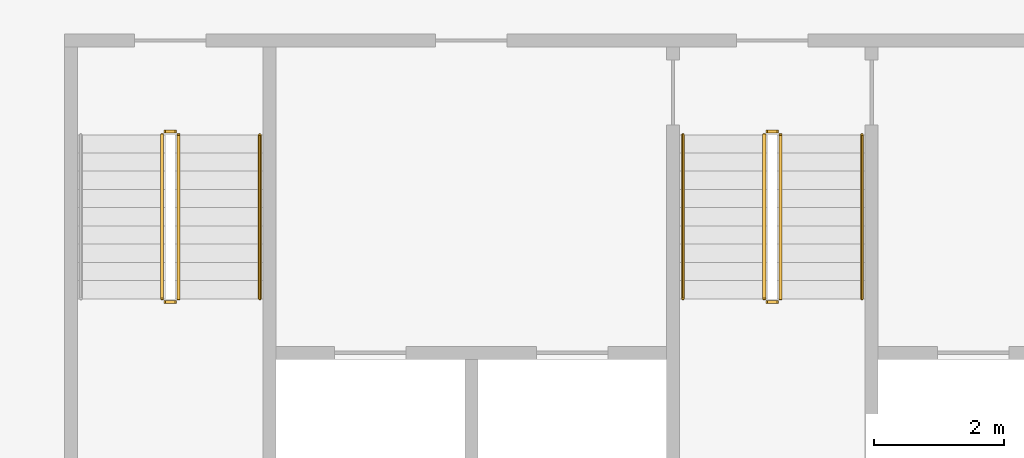
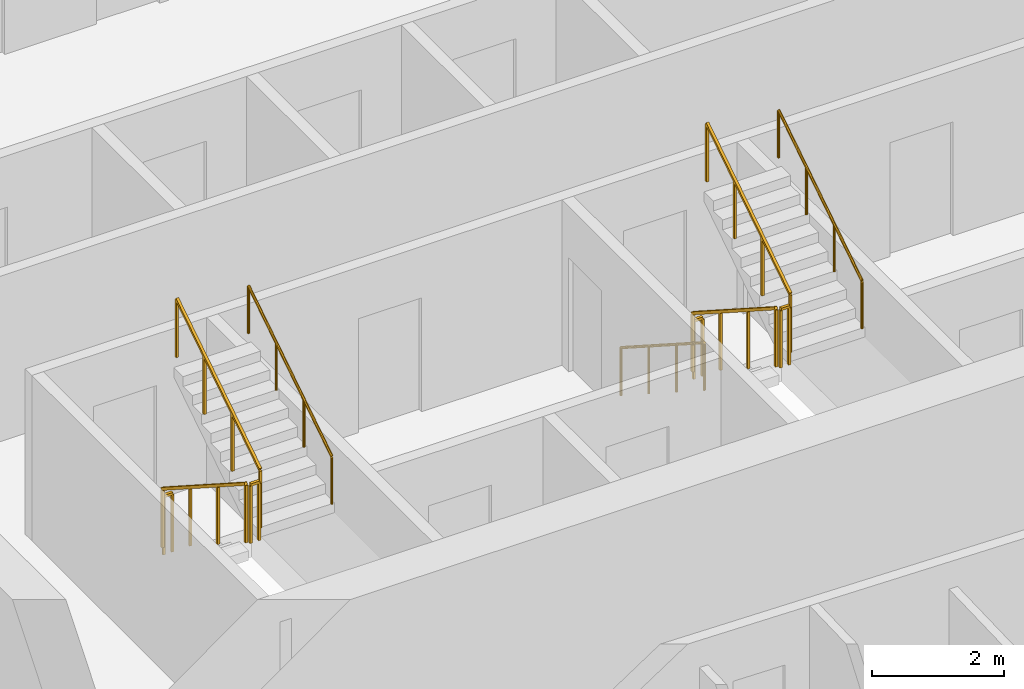
# One storey, part 15 of 17: 11 railings.
"""IFC4 building model written with IfcOpenShell, lengths in metres."""

from ifc_helpers import new_model, si_unit, direction, frame, origin, origin_2d, place, context, subcontext, project, spatial, rectangle, circle, extrude, material, type_object, element, save


model = new_model("IFC4")

# Units and contexts
model_context = context("Model", 3, precision=1e-05, world=origin(), true_north=direction((0.0, 1.0)))
body_context = subcontext(model_context, "Body", "Model", "MODEL_VIEW")
ifc_project = project(units=[si_unit("LENGTHUNIT", "METRE"), si_unit("AREAUNIT", "SQUARE_METRE"), si_unit("VOLUMEUNIT", "CUBIC_METRE"), si_unit("PLANEANGLEUNIT", "RADIAN"), si_unit("MASSUNIT", "GRAM", prefix="KILO")], contexts=[model_context])

# Site, building, storey
site_placement = place(None, origin())
site = spatial("IfcSite", under=ifc_project, at=site_placement, CompositionType="ELEMENT")
building_placement = place(site_placement, origin())
building = spatial("IfcBuilding", under=site, at=building_placement, Name="Mangrove Gate Tower", CompositionType="ELEMENT")
storey_placement = place(building_placement, frame((0.0, 0.0, 260.89990234375)))
storey = spatial("IfcBuildingStorey", under=building, at=storey_placement, Name="L66", CompositionType="ELEMENT", Elevation=260.89990234375)

# Railings
ifc_material_1 = material(Name="Stainless steel 316", Category="steel")
railing_type_1 = type_object("IfcRailingType", Name="Core stair guard 1100", PredefinedType="GUARDRAIL", material=ifc_material_1)
railing_1_placement = place(storey_placement, frame((-9.39990234375, -4.64990234375, 0.18017578125)))
element("IfcRailing", 1, at=railing_1_placement, inside=storey, type_object=railing_type_1, Name="L66 ST1 stair guard 1", PredefinedType="GUARDRAIL", context=body_context, shape_type="SweptSolid", body=[
    extrude(rectangle(XDim=0.048095703125, YDim=0.048095703125, at=origin_2d()), frame((0.0, 0.0, 1.076171875), z_axis=(0.0, -0.841199657755, 0.540724639528), x_axis=(1.0, 0.0, 0.0)), (0.0, 0.0, 1.0), 2.995849609375),
    extrude(rectangle(XDim=0.0419921875, YDim=0.0419921875, at=origin_2d()), origin(), (0.0, 0.0, 1.0), 1.052001953125),
    extrude(rectangle(XDim=0.0419921875, YDim=0.0419921875, at=origin_2d()), frame((0.0, -0.840087890625, 0.5400390625)), (0.0, 0.0, 1.0), 1.052001953125),
    extrude(rectangle(XDim=0.0419921875, YDim=0.0419921875, at=origin_2d()), frame((0.0, -1.679931640625, 1.079833984375)), (0.0, 0.0, 1.0), 1.052001953125),
    extrude(rectangle(XDim=0.0419921875, YDim=0.0419921875, at=origin_2d()), frame((0.0, -2.52001953125, 1.619873046875)), (0.0, 0.0, 1.0), 1.052001953125),
])
railing_2_placement = place(storey_placement, frame((-9.35009765625, -7.219970703125, 1.800048828125)))
element("IfcRailing", 2, at=railing_2_placement, inside=storey, type_object=railing_type_1, Name="L66 ST1 stair guard 2", PredefinedType="GUARDRAIL", context=body_context, shape_type="SweptSolid", body=[
    extrude(rectangle(XDim=0.048095703125, YDim=0.048095703125, at=origin_2d()), frame((0.0, 0.0, 1.076171875), z_axis=(1.0, 0.0, 0.0), x_axis=(0.0, 1.0, 0.0)), (0.0, 0.0, 1.0), 0.150146484375),
    extrude(rectangle(XDim=0.0419921875, YDim=0.0419921875, at=origin_2d()), origin(), (0.0, 0.0, 1.0), 1.052001953125),
    extrude(rectangle(XDim=0.0419921875, YDim=0.0419921875, at=origin_2d()), frame((0.150146484375, 0.0, 0.0)), (0.0, 0.0, 1.0), 1.052001953125),
])
railing_3_placement = place(storey_placement, frame((-9.14990234375, -7.169921875, 1.97998046875)))
element("IfcRailing", 3, at=railing_3_placement, inside=storey, type_object=railing_type_1, Name="L66 ST1 stair guard 3", PredefinedType="GUARDRAIL", context=body_context, shape_type="SweptSolid", body=[
    extrude(rectangle(XDim=0.048095703125, YDim=0.048095703125, at=origin_2d()), frame((0.0, 0.0, 1.076171875), z_axis=(0.0, 0.841162588446, 0.540782303519), x_axis=(-1.0, 0.0, 0.0)), (0.0, 0.0, 1.0), 2.995849609375),
    extrude(rectangle(XDim=0.0419921875, YDim=0.0419921875, at=origin_2d()), origin(), (0.0, 0.0, 1.0), 1.052001953125),
    extrude(rectangle(XDim=0.0419921875, YDim=0.0419921875, at=origin_2d()), frame((0.0, 0.840087890625, 0.5400390625)), (0.0, 0.0, 1.0), 1.052001953125),
    extrude(rectangle(XDim=0.0419921875, YDim=0.0419921875, at=origin_2d()), frame((0.0, 1.679931640625, 1.080078125)), (0.0, 0.0, 1.0), 1.052001953125),
    extrude(rectangle(XDim=0.0419921875, YDim=0.0419921875, at=origin_2d()), frame((0.0, 2.52001953125, 1.6201171875)), (0.0, 0.0, 1.0), 1.052001953125),
])
railing_4_placement = place(storey_placement, frame((-9.35009765625, -4.60009765625, 0.0)))
element("IfcRailing", 4, at=railing_4_placement, inside=storey, type_object=railing_type_1, Name="L66 ST1 stair guard 4", PredefinedType="GUARDRAIL", context=body_context, shape_type="SweptSolid", body=[
    extrude(rectangle(XDim=0.048095703125, YDim=0.048095703125, at=origin_2d()), frame((0.0, 0.0, 1.076171875), z_axis=(1.0, 0.0, 0.0), x_axis=(0.0, 1.0, 0.0)), (0.0, 0.0, 1.0), 0.150146484375),
    extrude(rectangle(XDim=0.0419921875, YDim=0.0419921875, at=origin_2d()), origin(), (0.0, 0.0, 1.0), 1.052001953125),
    extrude(rectangle(XDim=0.0419921875, YDim=0.0419921875, at=origin_2d()), frame((0.150146484375, 0.0, 0.0)), (0.0, 0.0, 1.0), 1.052001953125),
])
railing_5_placement = place(storey_placement, frame((-0.14990234375, -4.64990234375, 0.18017578125)))
element("IfcRailing", 5, at=railing_5_placement, inside=storey, type_object=railing_type_1, Name="L66 ST2 stair guard 1", PredefinedType="GUARDRAIL", context=body_context, shape_type="SweptSolid", body=[
    extrude(rectangle(XDim=0.048095703125, YDim=0.048095703125, at=origin_2d()), frame((0.0, 0.0, 1.076171875), z_axis=(0.0, -0.841199657755, 0.540724639528), x_axis=(1.0, 0.0, 0.0)), (0.0, 0.0, 1.0), 2.995849609375),
    extrude(rectangle(XDim=0.0419921875, YDim=0.0419921875, at=origin_2d()), origin(), (0.0, 0.0, 1.0), 1.052001953125),
    extrude(rectangle(XDim=0.0419921875, YDim=0.0419921875, at=origin_2d()), frame((0.0, -0.840087890625, 0.5400390625)), (0.0, 0.0, 1.0), 1.052001953125),
    extrude(rectangle(XDim=0.0419921875, YDim=0.0419921875, at=origin_2d()), frame((0.0, -1.679931640625, 1.079833984375)), (0.0, 0.0, 1.0), 1.052001953125),
    extrude(rectangle(XDim=0.0419921875, YDim=0.0419921875, at=origin_2d()), frame((0.0, -2.52001953125, 1.619873046875)), (0.0, 0.0, 1.0), 1.052001953125),
])
railing_6_placement = place(storey_placement, frame((-0.10009765625, -7.219970703125, 1.800048828125)))
element("IfcRailing", 6, at=railing_6_placement, inside=storey, type_object=railing_type_1, Name="L66 ST2 stair guard 2", PredefinedType="GUARDRAIL", context=body_context, shape_type="SweptSolid", body=[
    extrude(rectangle(XDim=0.048095703125, YDim=0.048095703125, at=origin_2d()), frame((0.0, 0.0, 1.076171875), z_axis=(1.0, 0.0, 0.0), x_axis=(0.0, 1.0, 0.0)), (0.0, 0.0, 1.0), 0.150146484375),
    extrude(rectangle(XDim=0.0419921875, YDim=0.0419921875, at=origin_2d()), origin(), (0.0, 0.0, 1.0), 1.052001953125),
    extrude(rectangle(XDim=0.0419921875, YDim=0.0419921875, at=origin_2d()), frame((0.150146484375, 0.0, 0.0)), (0.0, 0.0, 1.0), 1.052001953125),
])
railing_7_placement = place(storey_placement, frame((0.10009765625, -7.169921875, 1.97998046875)))
element("IfcRailing", 7, at=railing_7_placement, inside=storey, type_object=railing_type_1, Name="L66 ST2 stair guard 3", PredefinedType="GUARDRAIL", context=body_context, shape_type="SweptSolid", body=[
    extrude(rectangle(XDim=0.048095703125, YDim=0.048095703125, at=origin_2d()), frame((0.0, 0.0, 1.076171875), z_axis=(0.0, 0.841162588446, 0.540782303519), x_axis=(-1.0, 0.0, 0.0)), (0.0, 0.0, 1.0), 2.995849609375),
    extrude(rectangle(XDim=0.0419921875, YDim=0.0419921875, at=origin_2d()), origin(), (0.0, 0.0, 1.0), 1.052001953125),
    extrude(rectangle(XDim=0.0419921875, YDim=0.0419921875, at=origin_2d()), frame((0.0, 0.840087890625, 0.5400390625)), (0.0, 0.0, 1.0), 1.052001953125),
    extrude(rectangle(XDim=0.0419921875, YDim=0.0419921875, at=origin_2d()), frame((0.0, 1.679931640625, 1.080078125)), (0.0, 0.0, 1.0), 1.052001953125),
    extrude(rectangle(XDim=0.0419921875, YDim=0.0419921875, at=origin_2d()), frame((0.0, 2.52001953125, 1.6201171875)), (0.0, 0.0, 1.0), 1.052001953125),
])
railing_8_placement = place(storey_placement, frame((-0.10009765625, -4.60009765625, 0.0)))
element("IfcRailing", 8, at=railing_8_placement, inside=storey, type_object=railing_type_1, Name="L66 ST2 stair guard 4", PredefinedType="GUARDRAIL", context=body_context, shape_type="SweptSolid", body=[
    extrude(rectangle(XDim=0.048095703125, YDim=0.048095703125, at=origin_2d()), frame((0.0, 0.0, 1.076171875), z_axis=(1.0, 0.0, 0.0), x_axis=(0.0, 1.0, 0.0)), (0.0, 0.0, 1.0), 0.150146484375),
    extrude(rectangle(XDim=0.0419921875, YDim=0.0419921875, at=origin_2d()), origin(), (0.0, 0.0, 1.0), 1.052001953125),
    extrude(rectangle(XDim=0.0419921875, YDim=0.0419921875, at=origin_2d()), frame((0.150146484375, 0.0, 0.0)), (0.0, 0.0, 1.0), 1.052001953125),
])
ifc_material_2 = material(Name="Stainless steel 316", Category="steel")
railing_type_2 = type_object("IfcRailingType", Name="Core stair handrail 900", PredefinedType="HANDRAIL", material=ifc_material_2)
railing_9_placement = place(storey_placement, frame((-7.89990234375, -7.169921875, 1.97998046875)))
element("IfcRailing", 9, at=railing_9_placement, inside=storey, type_object=railing_type_2, Name="L66 ST1 stair handrail 2", PredefinedType="HANDRAIL", context=body_context, shape_type="SweptSolid", body=[
    extrude(circle(Radius=0.02392578125, at=origin_2d()), frame((0.0, 0.0, 0.8759765625), z_axis=(0.0, 0.841162588446, 0.540782303519), x_axis=(-1.0, 0.0, 0.0)), (0.0, 0.0, 1.0), 2.995849609375),
    extrude(circle(Radius=0.02099609375, at=origin_2d()), origin(), (0.0, 0.0, 1.0), 0.851806640625),
    extrude(circle(Radius=0.02099609375, at=origin_2d()), frame((0.0, 0.840087890625, 0.5400390625)), (0.0, 0.0, 1.0), 0.851806640625),
    extrude(circle(Radius=0.02099609375, at=origin_2d()), frame((0.0, 1.679931640625, 1.080078125)), (0.0, 0.0, 1.0), 0.851806640625),
    extrude(circle(Radius=0.02099609375, at=origin_2d()), frame((0.0, 2.52001953125, 1.6201171875)), (0.0, 0.0, 1.0), 0.851806640625),
])
railing_10_placement = place(storey_placement, frame((-1.39990234375, -4.64990234375, 0.18017578125)))
element("IfcRailing", 10, at=railing_10_placement, inside=storey, type_object=railing_type_2, Name="L66 ST2 stair handrail 1", PredefinedType="HANDRAIL", context=body_context, shape_type="SweptSolid", body=[
    extrude(circle(Radius=0.02392578125, at=origin_2d()), frame((0.0, 0.0, 0.8759765625), z_axis=(0.0, -0.841199657755, 0.540724639528), x_axis=(1.0, 0.0, 0.0)), (0.0, 0.0, 1.0), 2.995849609375),
    extrude(circle(Radius=0.02099609375, at=origin_2d()), origin(), (0.0, 0.0, 1.0), 0.851806640625),
    extrude(circle(Radius=0.02099609375, at=origin_2d()), frame((0.0, -0.840087890625, 0.5400390625)), (0.0, 0.0, 1.0), 0.851806640625),
    extrude(circle(Radius=0.02099609375, at=origin_2d()), frame((0.0, -1.679931640625, 1.079833984375)), (0.0, 0.0, 1.0), 0.851806640625),
    extrude(circle(Radius=0.02099609375, at=origin_2d()), frame((0.0, -2.52001953125, 1.619873046875)), (0.0, 0.0, 1.0), 0.851806640625),
])
railing_11_placement = place(storey_placement, frame((1.35009765625, -7.169921875, 1.97998046875)))
element("IfcRailing", 11, at=railing_11_placement, inside=storey, type_object=railing_type_2, Name="L66 ST2 stair handrail 2", PredefinedType="HANDRAIL", context=body_context, shape_type="SweptSolid", body=[
    extrude(circle(Radius=0.02392578125, at=origin_2d()), frame((0.0, 0.0, 0.8759765625), z_axis=(0.0, 0.841162588446, 0.540782303519), x_axis=(-1.0, 0.0, 0.0)), (0.0, 0.0, 1.0), 2.995849609375),
    extrude(circle(Radius=0.02099609375, at=origin_2d()), origin(), (0.0, 0.0, 1.0), 0.851806640625),
    extrude(circle(Radius=0.02099609375, at=origin_2d()), frame((0.0, 0.840087890625, 0.5400390625)), (0.0, 0.0, 1.0), 0.851806640625),
    extrude(circle(Radius=0.02099609375, at=origin_2d()), frame((0.0, 1.679931640625, 1.080078125)), (0.0, 0.0, 1.0), 0.851806640625),
    extrude(circle(Radius=0.02099609375, at=origin_2d()), frame((0.0, 2.52001953125, 1.6201171875)), (0.0, 0.0, 1.0), 0.851806640625),
])

save(model, "model.ifc")
